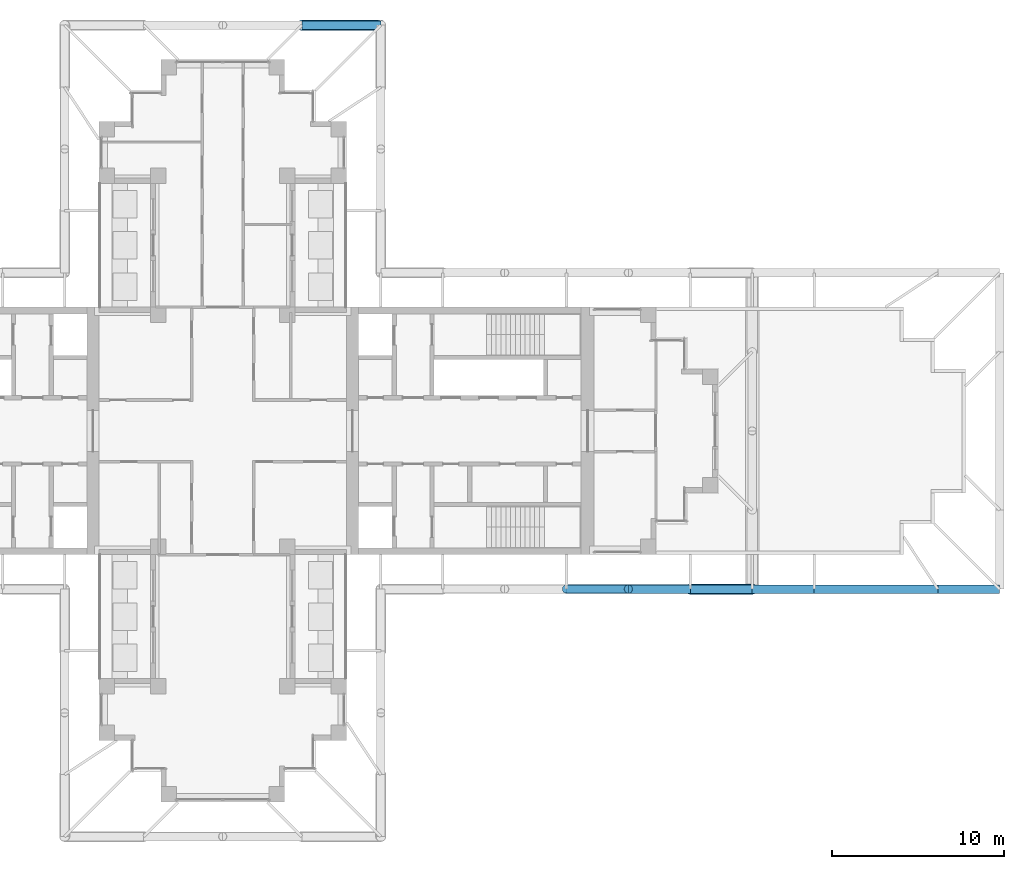
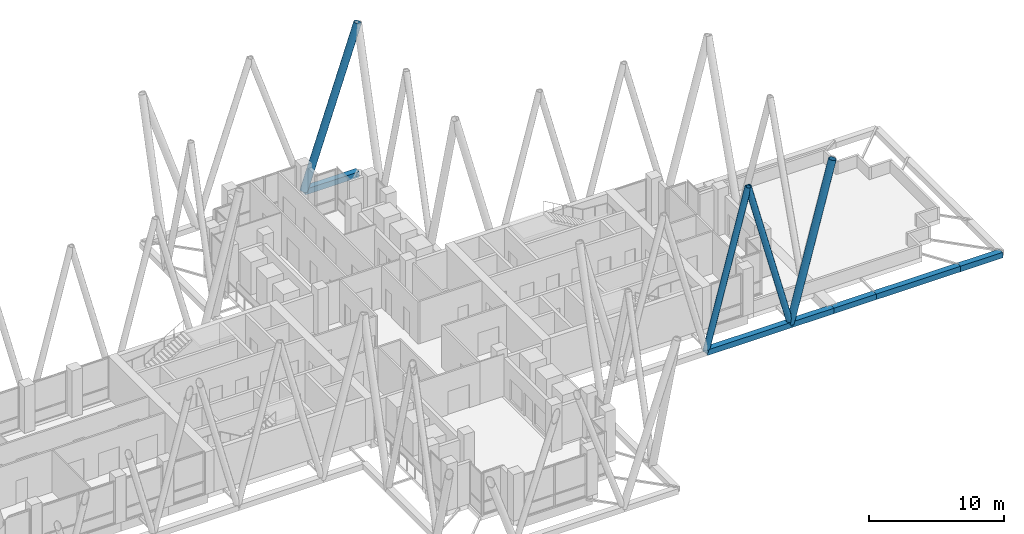
# One storey, part 7 of 19: 10 members.
"""IFC4 building model written with IfcOpenShell, lengths in metres."""

from ifc_helpers import new_model, si_unit, direction, frame, origin, origin_2d, place, context, subcontext, project, spatial, hollow_rectangle, hollow_circle, extrude, material, material_profile, profile_set, type_object, element, save


model = new_model("IFC4")

# Units and contexts
model_context = context("Model", 3, precision=1e-05, world=origin(), true_north=direction((0.0, 1.0)))
body_context = subcontext(model_context, "Body", "Model", "MODEL_VIEW")
ifc_project = project(units=[si_unit("LENGTHUNIT", "METRE"), si_unit("AREAUNIT", "SQUARE_METRE"), si_unit("VOLUMEUNIT", "CUBIC_METRE"), si_unit("PLANEANGLEUNIT", "RADIAN"), si_unit("MASSUNIT", "GRAM", prefix="KILO")], contexts=[model_context])

# Site, building, storey
site_placement = place(None, origin())
site = spatial("IfcSite", under=ifc_project, at=site_placement, CompositionType="ELEMENT")
building_placement = place(site_placement, origin())
building = spatial("IfcBuilding", under=site, at=building_placement, Name="Fustian Cross Tower", CompositionType="ELEMENT")
storey_placement = place(building_placement, frame((0.0, 0.0, 166.5)))
storey = spatial("IfcBuildingStorey", under=building, at=storey_placement, Name="L52", CompositionType="ELEMENT", Elevation=166.5)

# Members
ifc_material_1 = material(Name="Steel S355", Category="steel")
ifc_material_profile_1 = material_profile(ifc_material_1, hollow_circle(Radius=0.25390625, WallThickness=0.02001953125, at=origin_2d()), Name="CHS 508x20")
ifc_profile_set_1 = profile_set([ifc_material_profile_1], Name="Steel S355")
member_type_1 = type_object("IfcMemberType", Name="DIAGRID DIAGONAL CHS 508x20", PredefinedType="BRACE", material=ifc_profile_set_1)
member_1_placement = place(storey_placement, frame((20.0, -9.199951171875, -0.39990234375), z_axis=(0.255901623089, 0.0, 0.966702828847), x_axis=(0.0, 1.0, 0.0)))
element("IfcMember", 1, at=member_1_placement, inside=storey, type_object=member_type_1, Name="Diagrid diagonal E-S 04", PredefinedType="BRACE", context=body_context, shape_type="SweptSolid", body=[
    extrude(hollow_circle(Radius=0.25390625, WallThickness=0.02001953125, at=origin_2d()), origin(), (0.0, 0.0, 1.0), 14.068359375),
])
member_2_placement = place(storey_placement, frame((27.199951171875, -9.199951171875, -0.39990234375), z_axis=(-0.255885405448, 0.0, 0.966707121769), x_axis=(0.0, -1.0, 0.0)))
element("IfcMember", 2, at=member_2_placement, inside=storey, type_object=member_type_1, Name="Diagrid diagonal E-S 05", PredefinedType="BRACE", context=body_context, shape_type="SweptSolid", body=[
    extrude(hollow_circle(Radius=0.25390625, WallThickness=0.02001953125, at=origin_2d()), origin(), (0.0, 0.0, 1.0), 14.068115234375),
])
ifc_material_2 = material(Name="Steel S355", Category="steel")
ifc_material_profile_2 = material_profile(ifc_material_2, hollow_circle(Radius=0.3046875, WallThickness=0.02490234375, at=origin_2d()), Name="CHS 610x25")
ifc_profile_set_2 = profile_set([ifc_material_profile_2], Name="Steel S355")
member_type_2 = type_object("IfcMemberType", Name="DIAGRID DIAGONAL CHS 610x25", PredefinedType="BRACE", material=ifc_profile_set_2)
member_3_placement = place(storey_placement, frame((27.199951171875, -9.199951171875, -0.39990234375), z_axis=(0.255901623089, 0.0, 0.966702828847), x_axis=(0.0, 1.0, 0.0)))
element("IfcMember", 3, at=member_3_placement, inside=storey, type_object=member_type_2, Name="Diagrid diagonal E-S 06", PredefinedType="BRACE", context=body_context, shape_type="SweptSolid", body=[
    extrude(hollow_circle(Radius=0.3046875, WallThickness=0.02490234375, at=origin_2d()), origin(), (0.0, 0.0, 1.0), 14.068359375),
])
member_4_placement = place(storey_placement, frame((4.60009765625, 23.60009765625, -0.39990234375), z_axis=(0.320397819675, 0.0, 0.947283081844), x_axis=(0.0, 1.0, 0.0)))
element("IfcMember", 4, at=member_4_placement, inside=storey, type_object=member_type_2, Name="Diagrid diagonal N-end 01", PredefinedType="BRACE", context=body_context, shape_type="SweptSolid", body=[
    extrude(hollow_circle(Radius=0.3046875, WallThickness=0.02490234375, at=origin_2d()), origin(), (0.0, 0.0, 1.0), 14.356689453125),
])
ifc_material_3 = material(Name="Steel S355", Category="steel")
ifc_material_profile_3 = material_profile(ifc_material_3, hollow_rectangle(XDim=0.5, YDim=0.5, WallThickness=0.02490234375, at=origin_2d()), Name="RHS 500x500x25")
ifc_profile_set_3 = profile_set([ifc_material_profile_3], Name="Steel S355")
member_type_3 = type_object("IfcMemberType", Name="DIAGRID RING RHS 500x500x25", PredefinedType="MEMBER", material=ifc_profile_set_3)
member_5_placement = place(storey_placement, frame((9.199951171875, 23.60009765625, -0.39990234375), z_axis=(-1.0, 0.0, 0.0), x_axis=(0.0, -1.0, 0.0)))
element("IfcMember", 5, at=member_5_placement, inside=storey, type_object=member_type_3, Name="Diagrid ring L52-13 L52-14", PredefinedType="MEMBER", context=body_context, shape_type="SweptSolid", body=[
    extrude(hollow_rectangle(XDim=0.5, YDim=0.5, WallThickness=0.02490234375, at=origin_2d()), origin(), (0.0, 0.0, 1.0), 4.599853515625),
])
member_6_placement = place(storey_placement, frame((20.0, -9.199951171875, -0.39990234375), z_axis=(1.0, 0.0, 0.0), x_axis=(0.0, 1.0, 0.0)))
element("IfcMember", 6, at=member_6_placement, inside=storey, type_object=member_type_3, Name="Diagrid ring L52-46 L52-47", PredefinedType="MEMBER", context=body_context, shape_type="SweptSolid", body=[
    extrude(hollow_rectangle(XDim=0.5, YDim=0.5, WallThickness=0.02490234375, at=origin_2d()), origin(), (0.0, 0.0, 1.0), 7.199951171875),
])
member_7_placement = place(storey_placement, frame((27.199951171875, -9.199951171875, -0.39990234375), z_axis=(1.0, 0.0, 0.0), x_axis=(0.0, 1.0, 0.0)))
element("IfcMember", 7, at=member_7_placement, inside=storey, type_object=member_type_3, Name="Diagrid ring L52-47 L52-48", PredefinedType="MEMBER", context=body_context, shape_type="SweptSolid", body=[
    extrude(hollow_rectangle(XDim=0.5, YDim=0.5, WallThickness=0.02490234375, at=origin_2d()), origin(), (0.0, 0.0, 1.0), 3.60009765625),
])
member_8_placement = place(storey_placement, frame((30.800048828125, -9.199951171875, -0.39990234375), z_axis=(1.0, 0.0, 0.0), x_axis=(0.0, 1.0, 0.0)))
element("IfcMember", 8, at=member_8_placement, inside=storey, type_object=member_type_3, Name="Diagrid ring L52-48 L52-49", PredefinedType="MEMBER", context=body_context, shape_type="SweptSolid", body=[
    extrude(hollow_rectangle(XDim=0.5, YDim=0.5, WallThickness=0.02490234375, at=origin_2d()), origin(), (0.0, 0.0, 1.0), 3.599853515625),
])
member_9_placement = place(storey_placement, frame((34.39990234375, -9.199951171875, -0.39990234375), z_axis=(1.0, 0.0, 0.0), x_axis=(0.0, 1.0, 0.0)))
element("IfcMember", 9, at=member_9_placement, inside=storey, type_object=member_type_3, Name="Diagrid ring L52-49 L52-50", PredefinedType="MEMBER", context=body_context, shape_type="SweptSolid", body=[
    extrude(hollow_rectangle(XDim=0.5, YDim=0.5, WallThickness=0.02490234375, at=origin_2d()), origin(), (0.0, 0.0, 1.0), 7.2001953125),
])
member_10_placement = place(storey_placement, frame((41.60009765625, -9.199951171875, -0.39990234375), z_axis=(1.0, 0.0, 0.0), x_axis=(0.0, 1.0, 0.0)))
element("IfcMember", 10, at=member_10_placement, inside=storey, type_object=member_type_3, Name="Diagrid ring L52-50 L52-51", PredefinedType="MEMBER", context=body_context, shape_type="SweptSolid", body=[
    extrude(hollow_rectangle(XDim=0.5, YDim=0.5, WallThickness=0.02490234375, at=origin_2d()), origin(), (0.0, 0.0, 1.0), 3.599853515625),
])

save(model, "model.ifc")
